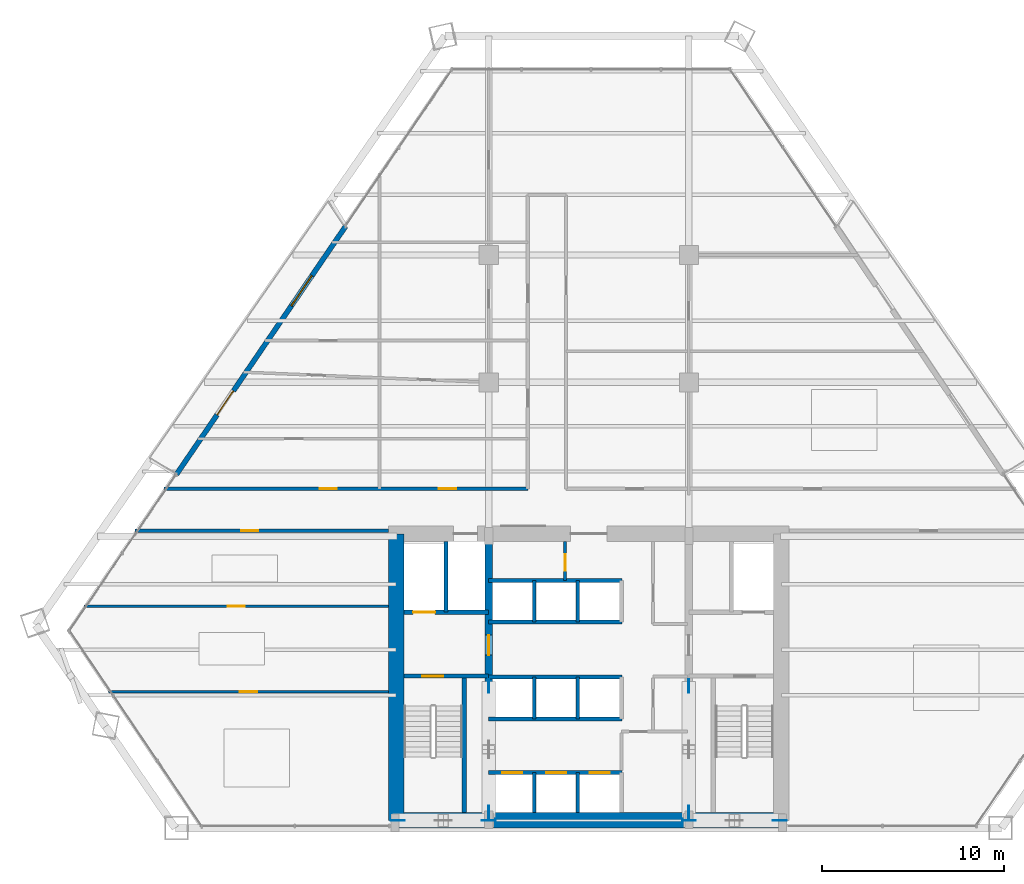
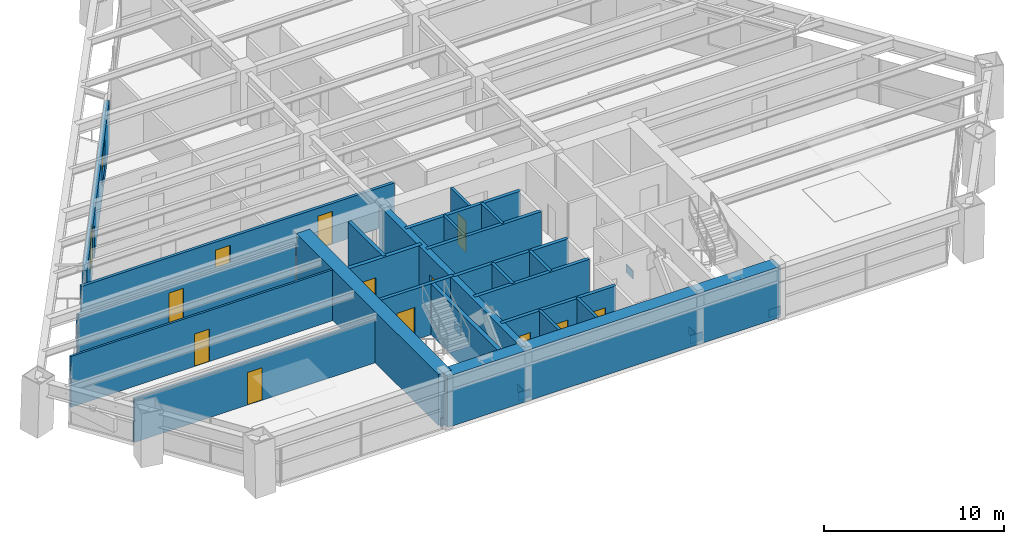
# One storey, part 10 of 14: 24 walls, 13 doors, 8 plates, 1 window, 14 openings.
"""IFC4 building model written with IfcOpenShell, lengths in metres."""

import ifcopenshell
import ifcopenshell.guid

model = None  # the IFC model being written
_history = None  # IfcOwnerHistory: only IFC2X3 demands one
_inside = {}  # id of a spatial element -> (the spatial element, [elements in it])
_under = {}  # id of a project, library or spatial element -> (it, [spatial elements below it])
_declared = {}  # id of a project -> (the project, [libraries it declares])
_typed = {}  # id of a type object -> (the type object, [elements of that type])
_made_of = {}  # id of a material, layer set ... -> (it, [elements and type objects made of it])


def new_model(schema):
    """Start an empty IFC model of exactly this schema.

    Asked for "IFC4X3", IfcOpenShell would pick the latest addendum, in which some entities
    have other attributes; the version numbers below select the first issue.
    IFC2X3 requires an IfcOwnerHistory on every rooted entity: one is made here for all.
    """
    global model, _history
    if schema == "IFC4X3":
        model = ifcopenshell.file(schema_version=(4, 3, 0, 0))
    else:
        model = ifcopenshell.file(schema=schema)
    _inside.clear()
    _under.clear()
    _declared.clear()
    _typed.clear()
    _made_of.clear()
    _history = None
    if model.schema == "IFC2X3":
        org = make("IfcOrganization", Name="unknown")
        user = make(
            "IfcPersonAndOrganization",
            ThePerson=make("IfcPerson", FamilyName="unknown"),
            TheOrganization=org,
        )
        app = make(
            "IfcApplication",
            ApplicationDeveloper=org,
            Version="unknown",
            ApplicationFullName="unknown",
            ApplicationIdentifier="unknown",
        )
        _history = make(
            "IfcOwnerHistory",
            OwningUser=user,
            OwningApplication=app,
            ChangeAction="ADDED",
            CreationDate=0,
        )
    return model


def make(cls, **values):
    """One entity of the class cls with the attributes given. An attribute that is None is left unset."""
    return model.create_entity(
        cls, **{name: value for name, value in values.items() if value is not None}
    )


def rooted(cls, **values):
    """An entity with a GlobalId (a new one), such as an element, a storey or a relation."""
    return make(cls, GlobalId=ifcopenshell.guid.new(), OwnerHistory=_history, **values)


def si_unit(unit_type, name, prefix=None):
    """IfcSIUnit, for example si_unit("LENGTHUNIT", "METRE", prefix="MILLI")."""
    return make("IfcSIUnit", UnitType=unit_type, Prefix=prefix, Name=name)


def assignment(units):
    """IfcUnitAssignment: the units of a project."""
    return None if units is None else make("IfcUnitAssignment", Units=units)


def point(xyz):
    """IfcCartesianPoint."""
    return None if xyz is None else make("IfcCartesianPoint", Coordinates=xyz)


def direction(xyz):
    """IfcDirection."""
    return None if xyz is None else make("IfcDirection", DirectionRatios=xyz)


def frame(location, z_axis=None, x_axis=None):
    """IfcAxis2Placement3D, a coordinate frame: its origin and axes. An axis left out is left unset."""
    return make(
        "IfcAxis2Placement3D",
        Location=point(location),
        Axis=direction(z_axis),
        RefDirection=direction(x_axis),
    )


def frame_2d(location, x_axis=None):
    """IfcAxis2Placement2D, a coordinate frame in the plane: its origin and x axis."""
    return make(
        "IfcAxis2Placement2D", Location=point(location), RefDirection=direction(x_axis)
    )


def origin():
    """The frame at (0, 0, 0) with its axes left unset."""
    return frame((0.0, 0.0, 0.0))


def origin_2d():
    """The frame at (0, 0) in the plane with its x axis left unset."""
    return frame_2d((0.0, 0.0))


def place(relative_to, where):
    """IfcLocalPlacement: puts the frame where relative to a parent placement (None: the world)."""
    return make(
        "IfcLocalPlacement", PlacementRelTo=relative_to, RelativePlacement=where
    )


def context(
    kind, dimensions, precision=None, world=None, true_north=None, identifier=None
):
    """IfcGeometricRepresentationContext, for example the 3D "Model" context."""
    return make(
        "IfcGeometricRepresentationContext",
        ContextIdentifier=identifier,
        ContextType=kind,
        CoordinateSpaceDimension=dimensions,
        Precision=precision,
        WorldCoordinateSystem=world,
        TrueNorth=true_north,
    )


def subcontext(parent, identifier, kind, view, scale=None):
    """IfcGeometricRepresentationSubContext, for example "Body" below "Model"."""
    return make(
        "IfcGeometricRepresentationSubContext",
        ContextIdentifier=identifier,
        ContextType=kind,
        ParentContext=parent,
        TargetScale=scale,
        TargetView=view,
    )


def project(units=None, contexts=None):
    """IfcProject with its units and contexts."""
    return rooted(
        "IfcProject",
        Name="project",
        RepresentationContexts=contexts,
        UnitsInContext=assignment(units),
    )


def spatial(cls, under=None, at=None, **own):
    """A site, building, storey or space (cls), placed at a placement, below another one or the project."""
    s = rooted(cls, ObjectPlacement=at, **own)
    if under is not None:
        _under.setdefault(under.id(), (under, []))[1].append(s)
    return s


def profile(cls, at=None, kind="AREA", **sizes):
    """A parametric profile (cls). Its sizes go by their IFC names, for example OverallWidth=200.0."""
    return make(cls, ProfileType=kind, Position=at, **sizes)


def rectangle(**sizes):
    """IfcRectangleProfileDef."""
    return profile("IfcRectangleProfileDef", **sizes)


def extrude(swept, where, along, depth):
    """IfcExtrudedAreaSolid: the profile swept, set in the frame where, extruded along a direction by depth."""
    return make(
        "IfcExtrudedAreaSolid",
        SweptArea=swept,
        Position=where,
        ExtrudedDirection=direction(along),
        Depth=depth,
    )


def shape(context_of_items, identifier, shape_type, items):
    """IfcShapeRepresentation: the items that make up one representation, for example the "Body"."""
    return make(
        "IfcShapeRepresentation",
        ContextOfItems=context_of_items,
        RepresentationIdentifier=identifier,
        RepresentationType=shape_type,
        Items=items,
    )


def source(mapping_origin, context_of_items, identifier, shape_type, items):
    """IfcRepresentationMap: a shape defined once, which mapped items show again and again."""
    return make(
        "IfcRepresentationMap",
        MappingOrigin=mapping_origin,
        MappedRepresentation=shape(context_of_items, identifier, shape_type, items),
    )


def transform(
    local_origin,
    x_axis=None,
    y_axis=None,
    z_axis=None,
    scale=None,
    scale2=None,
    scale3=None,
    uniform=True,
):
    """IfcCartesianTransformationOperator3D, or its non-uniform kind. x_axis, y_axis, z_axis: its Axis1, 2, 3."""
    if uniform:
        return make(
            "IfcCartesianTransformationOperator3D",
            Axis1=direction(x_axis),
            Axis2=direction(y_axis),
            LocalOrigin=point(local_origin),
            Scale=scale,
            Axis3=direction(z_axis),
        )
    return make(
        "IfcCartesianTransformationOperator3DnonUniform",
        Axis1=direction(x_axis),
        Axis2=direction(y_axis),
        LocalOrigin=point(local_origin),
        Scale=scale,
        Axis3=direction(z_axis),
        Scale2=scale2,
        Scale3=scale3,
    )


def mapped(mapping_source, mapping_target):
    """IfcMappedItem: shows the shape of a source again, moved by a transform."""
    return make(
        "IfcMappedItem", MappingSource=mapping_source, MappingTarget=mapping_target
    )


def material(Name=None, Category=None):
    """IfcMaterial."""
    return make("IfcMaterial", Name=Name, Category=Category)


def layer(
    of_material, thickness, ventilated=None, Name=None, Category=None, Priority=None
):
    """IfcMaterialLayer: one layer of a wall or slab, of a material (None: an air gap)."""
    return make(
        "IfcMaterialLayer",
        Material=of_material,
        LayerThickness=thickness,
        IsVentilated=ventilated,
        Name=Name,
        Category=Category,
        Priority=Priority,
    )


def layer_set(layers, Name=None):
    """IfcMaterialLayerSet."""
    return make("IfcMaterialLayerSet", MaterialLayers=layers, LayerSetName=Name)


def made_of(thing, what):
    """Note that an element or type object is made of a material, layer set ...; save() writes the relation."""
    if what is not None:
        _made_of.setdefault(what.id(), (what, []))[1].append(thing)
    return thing


def type_object(cls, material=None, **own):
    """A type object (cls), such as IfcWallType, which elements share."""
    return made_of(rooted(cls, **own), material)


def type_shapes(of_type, sources):
    """Give a type object the sources (RepresentationMaps) that its elements show as mapped items."""
    of_type.RepresentationMaps = sources


def element(
    cls,
    number,
    at=None,
    inside=None,
    cuts=None,
    type_object=None,
    material=None,
    context=None,
    identifier="Body",
    shape_type=None,
    held_by="IfcProductDefinitionShape",
    body=None,
    shapes=None,
    **own,
):
    """One element of the class cls, such as IfcWall. Its Tag is "e" and its number.

    at: its placement. inside: the storey or other place that contains it. cuts: it is an
    opening in that element (IfcRelVoidsElement). A single representation is given by context,
    identifier, shape_type and body (its items); several are given by shapes. held_by: the class
    of the entity that holds the representations. save() writes the other relations.
    """
    e = rooted(cls, Tag="e%d" % number, ObjectPlacement=at, **own)
    if body is not None:
        shapes = [shape(context, identifier, shape_type, body)]
    if shapes is not None:
        e.Representation = make(held_by, Representations=shapes)
    if inside is not None:
        _inside.setdefault(inside.id(), (inside, []))[1].append(e)
    if cuts is not None:
        rooted(
            "IfcRelVoidsElement", RelatingBuildingElement=cuts, RelatedOpeningElement=e
        )
    if type_object is not None:
        _typed.setdefault(type_object.id(), (type_object, []))[1].append(e)
    return made_of(e, material)


def fill(opening, filler):
    """IfcRelFillsElement: the door or window that sits in an opening."""
    return rooted(
        "IfcRelFillsElement",
        RelatingOpeningElement=opening,
        RelatedBuildingElement=filler,
    )


def aggregate(whole, parts):
    """IfcRelAggregates: a whole, such as a stair, and the parts it consists of."""
    return rooted("IfcRelAggregates", RelatingObject=whole, RelatedObjects=parts)


def save(model, path):
    """Write the relations noted so far, then the file.

    IfcRelAggregates (storeys below a building ...), IfcRelContainedInSpatialStructure (elements
    in a storey), IfcRelDefinesByType, IfcRelAssociatesMaterial and IfcRelDeclares: one each for
    every whole, place, type object, material and project.
    """
    for whole, parts in _under.values():
        aggregate(whole, parts)
    for where, things in _inside.values():
        rooted(
            "IfcRelContainedInSpatialStructure",
            RelatedElements=things,
            RelatingStructure=where,
        )
    for kind, things in _typed.values():
        rooted("IfcRelDefinesByType", RelatedObjects=things, RelatingType=kind)
    for what, things in _made_of.values():
        rooted("IfcRelAssociatesMaterial", RelatedObjects=things, RelatingMaterial=what)
    for by, libraries in _declared.values():
        rooted("IfcRelDeclares", RelatingContext=by, RelatedDefinitions=libraries)
    model.write(path)


model = new_model("IFC4")

# Units and contexts
model_context = context("Model", 3, precision=1e-05, world=origin(), true_north=direction((0.0, 1.0)))
body_context = subcontext(model_context, "Body", "Model", "MODEL_VIEW")
ifc_project = project(units=[si_unit("LENGTHUNIT", "METRE"), si_unit("AREAUNIT", "SQUARE_METRE"), si_unit("VOLUMEUNIT", "CUBIC_METRE"), si_unit("PLANEANGLEUNIT", "RADIAN"), si_unit("MASSUNIT", "GRAM", prefix="KILO")], contexts=[model_context])

# Site, building, storey
site_placement = place(None, origin())
site = spatial("IfcSite", under=ifc_project, at=site_placement, CompositionType="ELEMENT")
building_placement = place(site_placement, origin())
building = spatial("IfcBuilding", under=site, at=building_placement, Name="Varnakhor Terracotta Tower", CompositionType="ELEMENT")
storey_placement = place(building_placement, frame((0.0, 0.0, 38.60009765625)))
storey = spatial("IfcBuildingStorey", under=building, at=storey_placement, Name="L08", CompositionType="ELEMENT", Elevation=38.60009765625)

# Plates
ifc_material_1 = material(Name="Steel S460", Category="steel")
ifc_layer_1 = layer(ifc_material_1, 0.050048828125, Name="Steel S460")
ifc_layer_set_1 = layer_set([ifc_layer_1], Name="Steel S460")
plate_type = type_object("IfcPlateType", Name="PLT-GUSSET-50", PredefinedType="USERDEFINED", material=ifc_layer_set_1)
shared_shape_1 = source(origin(), body_context, "Body", "SweptSolid", [
    extrude(rectangle(XDim=0.75, YDim=0.0400390625, at=origin_2d()), origin(), (0.0, 0.0, 1.0), 0.550048828125),
])
type_shapes(plate_type, [shared_shape_1])
for number, where, z_axis, x_axis, name in (
    (1, (-10.5, 0.419921875, -0.09521484375), (0.0, 0.0, 1.0), (1.0, 0.0, 0.0), "L08 Core Brace Embed Plate CSWA"),
    (2, (-5.5, 0.419921875, -0.09521484375), (0.0, 0.0, 1.0), (1.0, 0.0, 0.0), "L08 Core Brace Embed Plate CSWB"),
    (3, (5.5, 0.419921875, -0.09521484375), (0.0, 0.0, 1.0), (1.0, 0.0, 0.0), "L08 Core Brace Embed Plate CSEA"),
    (4, (10.5, 0.419921875, -0.09521484375), (0.0, 0.0, 1.0), (1.0, 0.0, 0.0), "L08 Core Brace Embed Plate CSEB"),
    (5, (-5.5, 0.85009765625, -0.09521484375), (0.0, 0.0, 1.0), (0.0, 1.0, 0.0), "L08 Core Brace Embed Plate CWWA"),
    (6, (-5.5, 7.800048828125, -0.09521484375), (0.0, 0.0, 1.0), (0.0, 1.0, 0.0), "L08 Core Brace Embed Plate CWWB"),
    (7, (5.5, 0.85009765625, -0.09521484375), (0.0, 0.0, 1.0), (0.0, 1.0, 0.0), "L08 Core Brace Embed Plate CWEA"),
    (8, (5.5, 7.800048828125, -0.09521484375), (0.0, 0.0, 1.0), (0.0, 1.0, 0.0), "L08 Core Brace Embed Plate CWEB"),
):
    element("IfcPlate", number, at=place(storey_placement, frame(where, z_axis=z_axis, x_axis=x_axis)), inside=storey, type_object=plate_type, Name=name, ObjectType="GUSSET PLATE", PredefinedType="USERDEFINED", context=body_context, shape_type="MappedRepresentation", body=[
        mapped(shared_shape_1, transform((0.0, 0.0, 0.0), scale=1.0)),
    ])

# Walls
ifc_material_2 = material(Name="Concrete C60/75", Category="concrete")
ifc_layer_2 = layer(ifc_material_2, 0.85009765625, Name="Concrete C60/75")
ifc_layer_set_2 = layer_set([ifc_layer_2], Name="Concrete C60/75")
wall_type_1 = type_object("IfcWallType", Name="WAL-CORE-850", PredefinedType="SHEAR", material=ifc_layer_set_2)
wall_1_placement = place(storey_placement, frame((-10.64990234375, 0.425048828125, 0.0), z_axis=(0.0, 0.0, 1.0), x_axis=(1.0, 0.0, 0.0)))
element("IfcWall", 9, at=wall_1_placement, inside=storey, type_object=wall_type_1, Name="L08 South Core Shear Wall", PredefinedType="SHEAR", context=body_context, shape_type="SweptSolid", body=[
    extrude(rectangle(XDim=21.2998046875, YDim=0.85009765625, at=frame_2d((10.64990234375, 0.0))), origin(), (0.0, 0.0, 1.0), 3.449951171875),
])
wall_2_placement = place(storey_placement, frame((-10.574951171875, 0.425048828125, 0.0), z_axis=(0.0, 0.0, 1.0), x_axis=(0.0, 1.0, 0.0)))
element("IfcWall", 10, at=wall_2_placement, inside=storey, type_object=wall_type_1, Name="L08 West Core Shear Wall", PredefinedType="SHEAR", context=body_context, shape_type="SweptSolid", body=[
    extrude(rectangle(XDim=15.75, YDim=0.85009765625, at=frame_2d((7.875, 0.0))), origin(), (0.0, 0.0, 1.0), 3.449951171875),
])

# Wall, opening, door
ifc_material_3 = material(Name="Concrete C50/60", Category="concrete")
ifc_layer_3 = layer(ifc_material_3, 0.39990234375, Name="Concrete C50/60")
ifc_layer_set_3 = layer_set([ifc_layer_3], Name="Concrete C50/60")
wall_type_2 = type_object("IfcWallType", Name="WAL-CORE-WEB-400", PredefinedType="SHEAR", material=ifc_layer_set_3)
wall_3_placement = place(storey_placement, frame((-5.5, 0.425048828125, 0.0), z_axis=(0.0, 0.0, 1.0), x_axis=(0.0, 1.0, 0.0)))
wall_3 = element("IfcWall", 11, at=wall_3_placement, inside=storey, type_object=wall_type_2, Name="L08 West Core Web Shear Wall", PredefinedType="SHEAR", context=body_context, shape_type="SweptSolid", body=[
    extrude(rectangle(XDim=15.75, YDim=0.39990234375, at=frame_2d((7.875, 0.0))), origin(), (0.0, 0.0, 1.0), 3.449951171875),
])
opening_1_placement = place(wall_3_placement, frame((9.074951171875, 0.0, 0.0)))
opening_1 = element("IfcOpeningElement", 12, at=opening_1_placement, cuts=wall_3, Name="Opening DR-25", PredefinedType="OPENING", context=body_context, shape_type="SweptSolid", body=[
    extrude(rectangle(XDim=1.10009765625, YDim=2.199951171875, at=frame_2d((0.550048828125, 1.10009765625))), frame((0.0, 0.2099609375, 0.0), z_axis=(0.0, -1.0, 0.0), x_axis=(1.0, 0.0, 0.0)), (0.0, 0.0, 1.0), 0.419921875),
])
ifc_material_4 = material(Name="Firefighting Lobby Self-Closing Fire Door", Category="steel")
door_type_1 = type_object("IfcDoorType", Name="DR-FFL-1100X2200", OperationType="NOTDEFINED", PredefinedType="DOOR", material=ifc_material_4)
shared_shape_2 = source(origin(), body_context, "Body", "SweptSolid", [
    extrude(rectangle(XDim=1.10009765625, YDim=2.199951171875, at=frame_2d((0.550048828125, 1.10009765625))), frame((0.0, 0.02490234375, 0.0), z_axis=(0.0, -1.0, 0.0), x_axis=(1.0, 0.0, 0.0)), (0.0, 0.0, 1.0), 0.050048828125),
])
type_shapes(door_type_1, [shared_shape_2])
door_1_placement = place(opening_1_placement, origin())
door_1 = element("IfcDoor", 13, at=door_1_placement, inside=storey, type_object=door_type_1, Name="L08 West Firefighting Lobby Door", OperationType="SINGLE_SWING_RIGHT", OverallHeight=2.199951171875, OverallWidth=1.10009765625, PredefinedType="DOOR", context=body_context, shape_type="MappedRepresentation", body=[
    mapped(shared_shape_2, transform((0.0, 0.0, 0.0), scale=1.0)),
])
fill(opening_1, door_1)

ifc_material_5 = material(Name="Fire-Rated Gypsum Stud Partition", Category="gypsum")
ifc_layer_4 = layer(ifc_material_5, 0.18505859375, Name="Fire-Rated Gypsum Stud Partition")
ifc_layer_set_4 = layer_set([ifc_layer_4], Name="Fire-Rated Gypsum Stud Partition")
wall_type_3 = type_object("IfcWallType", Name="WAL-CORR-185", PredefinedType="PARTITIONING", material=ifc_layer_set_4)
wall_4_placement = place(storey_placement, frame((-24.930419921875, 16.35009765625, 0.0), z_axis=(0.0, 0.0, 1.0), x_axis=(1.0, 0.0, 0.0)))
wall_4 = element("IfcWall", 14, at=wall_4_placement, inside=storey, type_object=wall_type_3, Name="L08 South West Corridor Wall", PredefinedType="PARTITIONING", context=body_context, shape_type="SweptSolid", body=[
    extrude(rectangle(XDim=13.910400390625, YDim=0.18505859375, at=frame_2d((6.955078125, 0.0))), origin(), (0.0, 0.0, 1.0), 2.746826171875),
])
opening_2_placement = place(wall_4_placement, frame((5.818603515625, 0.0, 0.0)))
opening_2 = element("IfcOpeningElement", 15, at=opening_2_placement, cuts=wall_4, Name="Opening DR-94", PredefinedType="OPENING", context=body_context, shape_type="SweptSolid", body=[
    extrude(rectangle(XDim=0.949951171875, YDim=2.199951171875, at=frame_2d((0.47509765625, 1.10009765625))), frame((0.0, 0.1025390625, 0.0), z_axis=(0.0, -1.0, 0.0), x_axis=(1.0, 0.0, 0.0)), (0.0, 0.0, 1.0), 0.205078125),
])
ifc_material_6 = material(Name="Acoustic Glazed-Vision Timber Office Door", Category="wood")
door_type_2 = type_object("IfcDoorType", Name="DR-OFF-950X2200", OperationType="NOTDEFINED", PredefinedType="DOOR", material=ifc_material_6)
shared_shape_3 = source(origin(), body_context, "Body", "SweptSolid", [
    extrude(rectangle(XDim=0.949951171875, YDim=2.199951171875, at=frame_2d((0.47509765625, 1.10009765625))), frame((0.0, 0.02490234375, 0.0), z_axis=(0.0, -1.0, 0.0), x_axis=(1.0, 0.0, 0.0)), (0.0, 0.0, 1.0), 0.050048828125),
])
type_shapes(door_type_2, [shared_shape_3])
door_2_placement = place(opening_2_placement, origin())
door_2 = element("IfcDoor", 16, at=door_2_placement, inside=storey, type_object=door_type_2, Name="L08 SW Suite Door", OperationType="SINGLE_SWING_LEFT", OverallHeight=2.199951171875, OverallWidth=0.949951171875, PredefinedType="DOOR", context=body_context, shape_type="MappedRepresentation", body=[
    mapped(shared_shape_3, transform((0.0, 0.0, 0.0), scale=1.0)),
])
fill(opening_2, door_2)

# Wall, openings, doors
wall_5_placement = place(storey_placement, frame((-23.3623046875, 18.64990234375, 0.0), z_axis=(0.0, 0.0, 1.0), x_axis=(1.0, 0.0, 0.0)))
wall_5 = element("IfcWall", 17, at=wall_5_placement, inside=storey, type_object=wall_type_3, Name="L08 Corridor North West Wall", PredefinedType="PARTITIONING", context=body_context, shape_type="SweptSolid", body=[
    extrude(rectangle(XDim=20.01220703125, YDim=0.18505859375, at=frame_2d((10.006103515625, 0.0))), origin(), (0.0, 0.0, 1.0), 2.746826171875),
])
opening_3_placement = place(wall_5_placement, frame((8.564453125, 0.0, 0.0)))
opening_3 = element("IfcOpeningElement", 18, at=opening_3_placement, cuts=wall_5, Name="Opening DR-94", PredefinedType="OPENING", context=body_context, shape_type="SweptSolid", body=[
    extrude(rectangle(XDim=0.949951171875, YDim=2.199951171875, at=frame_2d((0.47509765625, 1.10009765625))), frame((0.0, 0.1025390625, 0.0), z_axis=(0.0, -1.0, 0.0), x_axis=(1.0, 0.0, 0.0)), (0.0, 0.0, 1.0), 0.205078125),
])
opening_4_placement = place(wall_5_placement, frame((15.114013671875, 0.0, 0.0)))
opening_4 = element("IfcOpeningElement", 19, at=opening_4_placement, cuts=wall_5, Name="Opening DR-94", PredefinedType="OPENING", context=body_context, shape_type="SweptSolid", body=[
    extrude(rectangle(XDim=0.949951171875, YDim=2.199951171875, at=frame_2d((0.47509765625, 1.10009765625))), frame((0.0, 0.1025390625, 0.0), z_axis=(0.0, -1.0, 0.0), x_axis=(1.0, 0.0, 0.0)), (0.0, 0.0, 1.0), 0.205078125),
])
door_3_placement = place(opening_3_placement, origin())
door_3 = element("IfcDoor", 20, at=door_3_placement, inside=storey, type_object=door_type_2, Name="L08 West Workplace Door", OperationType="SINGLE_SWING_LEFT", OverallHeight=2.199951171875, OverallWidth=0.949951171875, PredefinedType="DOOR", context=body_context, shape_type="MappedRepresentation", body=[
    mapped(shared_shape_3, transform((0.0, 0.0, 0.0), scale=1.0)),
])
fill(opening_3, door_3)
door_4_placement = place(opening_4_placement, origin())
door_4 = element("IfcDoor", 21, at=door_4_placement, inside=storey, type_object=door_type_2, Name="L08 Project Study Office B7 Door", OperationType="SINGLE_SWING_RIGHT", OverallHeight=2.199951171875, OverallWidth=0.949951171875, PredefinedType="DOOR", context=body_context, shape_type="MappedRepresentation", body=[
    mapped(shared_shape_3, transform((0.0, 0.0, 0.0), scale=1.0)),
])
fill(opening_4, door_4)

# Wall, openings, door, window
ifc_material_7 = material(Name="Extruded Architectural Terracotta Assembly", Category="masonry")
ifc_layer_5 = layer(ifc_material_7, 0.280029296875, Name="Extruded Architectural Terracotta Assembly")
ifc_layer_set_5 = layer_set([ifc_layer_5], Name="Extruded Architectural Terracotta Assembly")
wall_type_4 = type_object("IfcWallType", Name="WAL-EXT-TERRACOTTA-280", PredefinedType="SOLIDWALL", material=ifc_layer_set_5)
wall_6_placement = place(storey_placement, frame((-22.6630859375, 19.44482421875, 0.0), z_axis=(0.0, 0.0, 1.0), x_axis=(0.563309723246, 0.826245820381, 0.0)))
wall_6 = element("IfcWall", 22, at=wall_6_placement, inside=storey, type_object=wall_type_4, Name="L08 W Loggia Insulated Terracotta Wall", PredefinedType="SOLIDWALL", context=body_context, shape_type="SweptSolid", body=[
    extrude(rectangle(XDim=16.492431640625, YDim=0.280029296875, at=frame_2d((8.24609375, 0.0))), origin(), (0.0, 0.0, 1.0), 3.02978515625),
])
opening_5_placement = place(wall_6_placement, frame((3.958251953125, 0.0, 0.0)))
opening_5 = element("IfcOpeningElement", 23, at=opening_5_placement, cuts=wall_6, Name="Opening DR-62", PredefinedType="OPENING", context=body_context, shape_type="SweptSolid", body=[
    extrude(rectangle(XDim=1.60009765625, YDim=2.35009765625, at=frame_2d((0.800048828125, 1.175048828125))), frame((0.0, 0.14990234375, 0.0), z_axis=(0.0, -1.0, 0.0), x_axis=(1.0, 0.0, 0.0)), (0.0, 0.0, 1.0), 0.300048828125),
])
opening_6_placement = place(wall_6_placement, frame((11.21484375, 0.0, 0.89990234375)))
opening_6 = element("IfcOpeningElement", 24, at=opening_6_placement, cuts=wall_6, Name="Opening WN-26", PredefinedType="OPENING", context=body_context, shape_type="SweptSolid", body=[
    extrude(rectangle(XDim=2.0, YDim=1.85009765625, at=frame_2d((1.0, 0.925048828125))), frame((0.0, 0.14990234375, 0.0), z_axis=(0.0, -1.0, 0.0), x_axis=(1.0, 0.0, 0.0)), (0.0, 0.0, 1.0), 0.300048828125),
])
ifc_material_8 = material(Name="Thermally Broken Sliding Glass Loggia Door", Category="glass")
door_type_3 = type_object("IfcDoorType", Name="DR-EXT-LOGGIA-1600X2350", OperationType="NOTDEFINED", PredefinedType="DOOR", material=ifc_material_8)
shared_shape_4 = source(origin(), body_context, "Body", "SweptSolid", [
    extrude(rectangle(XDim=1.60009765625, YDim=2.35009765625, at=frame_2d((0.800048828125, 1.175048828125))), frame((0.0, 0.02490234375, 0.0), z_axis=(0.0, -1.0, 0.0), x_axis=(1.0, 0.0, 0.0)), (0.0, 0.0, 1.0), 0.050048828125),
])
type_shapes(door_type_3, [shared_shape_4])
door_5_placement = place(opening_5_placement, origin())
door_5 = element("IfcDoor", 25, at=door_5_placement, inside=storey, type_object=door_type_3, Name="L08 W Recessed Loggia Sliding Door", OperationType="SLIDING_TO_LEFT", OverallHeight=2.35009765625, OverallWidth=1.60009765625, PredefinedType="DOOR", context=body_context, shape_type="MappedRepresentation", body=[
    mapped(shared_shape_4, transform((0.0, 0.0, 0.0), scale=1.0)),
])
fill(opening_5, door_5)
ifc_material_9 = material(Name="Solar-Control Low-E Insulated Glass Unit", Category="glass")
window_type = type_object("IfcWindowType", Name="WIN-OFF-2200X2100", PartitioningType="SINGLE_PANEL", PredefinedType="WINDOW", material=ifc_material_9)
shared_shape_5 = source(origin(), body_context, "Body", "SweptSolid", [
    extrude(rectangle(XDim=2.0, YDim=1.85009765625, at=frame_2d((1.0, 0.925048828125))), frame((0.0, 0.030029296875, 0.0), z_axis=(0.0, -1.0, 0.0), x_axis=(1.0, 0.0, 0.0)), (0.0, 0.0, 1.0), 0.06005859375),
])
type_shapes(window_type, [shared_shape_5])
window_placement = place(opening_6_placement, origin())
window = element("IfcWindow", 26, at=window_placement, inside=storey, type_object=window_type, Name="L08 W Facet Punched Window", OverallHeight=1.85009765625, OverallWidth=2.0, PartitioningType="SINGLE_PANEL", PredefinedType="WINDOW", context=body_context, shape_type="MappedRepresentation", body=[
    mapped(shared_shape_5, transform((0.0, 0.0, 0.0), scale=1.0)),
])
fill(opening_6, window)

# Wall, opening, door
ifc_material_10 = material(Name="Concrete C40/50", Category="concrete")
ifc_layer_6 = layer(ifc_material_10, 0.219970703125, Name="Concrete C40/50")
ifc_layer_set_6 = layer_set([ifc_layer_6], Name="Concrete C40/50")
wall_type_5 = type_object("IfcWallType", Name="WAL-FFLOBBY-220", PredefinedType="SOLIDWALL", material=ifc_layer_set_6)
wall_7_placement = place(storey_placement, frame((-5.5, 8.35009765625, 0.0), z_axis=(0.0, 0.0, 1.0), x_axis=(-1.0, 0.0, 0.0)))
wall_7 = element("IfcWall", 27, at=wall_7_placement, inside=storey, type_object=wall_type_5, Name="L08 West Firefighting Lobby Stair Wall", PredefinedType="SOLIDWALL", context=body_context, shape_type="SweptSolid", body=[
    extrude(rectangle(XDim=4.64990234375, YDim=0.219970703125, at=frame_2d((2.324951171875, 0.0))), origin(), (0.0, 0.0, 1.0), 3.449951171875),
])
opening_7_placement = place(wall_7_placement, frame((2.5, 0.0, 0.0)))
opening_7 = element("IfcOpeningElement", 28, at=opening_7_placement, cuts=wall_7, Name="Opening DR-34", PredefinedType="OPENING", context=body_context, shape_type="SweptSolid", body=[
    extrude(rectangle(XDim=1.14990234375, YDim=2.199951171875, at=frame_2d((0.574951171875, 1.10009765625))), frame((0.0, 0.1201171875, 0.0), z_axis=(0.0, -1.0, 0.0), x_axis=(1.0, 0.0, 0.0)), (0.0, 0.0, 1.0), 0.239990234375),
])
ifc_material_11 = material(Name="Self-Closing Smoke-Sealed Steel Fire Door", Category="steel")
door_type_4 = type_object("IfcDoorType", Name="DR-STAIR-1150X2200", OperationType="NOTDEFINED", PredefinedType="DOOR", material=ifc_material_11)
shared_shape_6 = source(origin(), body_context, "Body", "SweptSolid", [
    extrude(rectangle(XDim=1.14990234375, YDim=2.199951171875, at=frame_2d((0.574951171875, 1.10009765625))), frame((0.0, 0.02490234375, 0.0), z_axis=(0.0, -1.0, 0.0), x_axis=(1.0, 0.0, 0.0)), (0.0, 0.0, 1.0), 0.050048828125),
])
type_shapes(door_type_4, [shared_shape_6])
door_6_placement = place(opening_7_placement, origin())
door_6 = element("IfcDoor", 29, at=door_6_placement, inside=storey, type_object=door_type_4, Name="L08 Exit Stair ST-1 Fire Door", OperationType="SINGLE_SWING_LEFT", OverallHeight=2.199951171875, OverallWidth=1.14990234375, PredefinedType="DOOR", context=body_context, shape_type="MappedRepresentation", body=[
    mapped(shared_shape_6, transform((0.0, 0.0, 0.0), scale=1.0)),
])
fill(opening_7, door_6)

ifc_material_12 = material(Name="Acoustic Metal-Stud Partition", Category="gypsum")
ifc_layer_7 = layer(ifc_material_12, 0.139892578125, Name="Acoustic Metal-Stud Partition")
ifc_layer_set_7 = layer_set([ifc_layer_7], Name="Acoustic Metal-Stud Partition")
wall_type_6 = type_object("IfcWallType", Name="WAL-PART-140", PredefinedType="PARTITIONING", material=ifc_layer_set_7)
wall_8_placement = place(storey_placement, frame((-26.4140625, 7.5, 0.0), z_axis=(0.0, 0.0, 1.0), x_axis=(1.0, 0.0, 0.0)))
wall_8 = element("IfcWall", 30, at=wall_8_placement, inside=storey, type_object=wall_type_6, Name="L08 South West Cut 1", PredefinedType="PARTITIONING", context=body_context, shape_type="SweptSolid", body=[
    extrude(rectangle(XDim=15.39404296875, YDim=0.139892578125, at=frame_2d((7.697021484375, 0.0))), origin(), (0.0, 0.0, 1.0), 2.97900390625),
])
opening_8_placement = place(wall_8_placement, frame((7.234130859375, 0.0, 0.0)))
opening_8 = element("IfcOpeningElement", 31, at=opening_8_placement, cuts=wall_8, Name="Opening DR-94", PredefinedType="OPENING", context=body_context, shape_type="SweptSolid", body=[
    extrude(rectangle(XDim=0.949951171875, YDim=2.199951171875, at=frame_2d((0.47509765625, 1.10009765625))), frame((0.0, 0.080078125, 0.0), z_axis=(0.0, -1.0, 0.0), x_axis=(1.0, 0.0, 0.0)), (0.0, 0.0, 1.0), 0.159912109375),
])
door_7_placement = place(opening_8_placement, origin())
door_7 = element("IfcDoor", 32, at=door_7_placement, inside=storey, type_object=door_type_2, Name="L08 South West Executive Office Door", OperationType="SINGLE_SWING_LEFT", OverallHeight=2.199951171875, OverallWidth=0.949951171875, PredefinedType="DOOR", context=body_context, shape_type="MappedRepresentation", body=[
    mapped(shared_shape_3, transform((0.0, 0.0, 0.0), scale=1.0)),
])
fill(opening_8, door_7)

wall_9_placement = place(storey_placement, frame((-27.759765625, 12.199951171875, 0.0), z_axis=(0.0, 0.0, 1.0), x_axis=(1.0, 0.0, 0.0)))
wall_9 = element("IfcWall", 33, at=wall_9_placement, inside=storey, type_object=wall_type_6, Name="L08 South West Cut 2", PredefinedType="PARTITIONING", context=body_context, shape_type="SweptSolid", body=[
    extrude(rectangle(XDim=16.73974609375, YDim=0.139892578125, at=frame_2d((8.369873046875, 0.0))), origin(), (0.0, 0.0, 1.0), 3.44189453125),
])
opening_9_placement = place(wall_9_placement, frame((7.907958984375, 0.0, 0.0)))
opening_9 = element("IfcOpeningElement", 34, at=opening_9_placement, cuts=wall_9, Name="Opening DR-94", PredefinedType="OPENING", context=body_context, shape_type="SweptSolid", body=[
    extrude(rectangle(XDim=0.949951171875, YDim=2.199951171875, at=frame_2d((0.47509765625, 1.10009765625))), frame((0.0, 0.080078125, 0.0), z_axis=(0.0, -1.0, 0.0), x_axis=(1.0, 0.0, 0.0)), (0.0, 0.0, 1.0), 0.159912109375),
])
door_8_placement = place(opening_9_placement, origin())
door_8 = element("IfcDoor", 35, at=door_8_placement, inside=storey, type_object=door_type_2, Name="L08 Project Study Office Door", OperationType="SINGLE_SWING_LEFT", OverallHeight=2.199951171875, OverallWidth=0.949951171875, PredefinedType="DOOR", context=body_context, shape_type="MappedRepresentation", body=[
    mapped(shared_shape_3, transform((0.0, 0.0, 0.0), scale=1.0)),
])
fill(opening_9, door_8)

# Walls
ifc_layer_8 = layer(ifc_material_10, 0.179931640625, Name="Concrete C40/50")
ifc_layer_set_8 = layer_set([ifc_layer_8], Name="Concrete C40/50")
wall_type_7 = type_object("IfcWallType", Name="WAL-SHAFT-180", PredefinedType="SOLIDWALL", material=ifc_layer_set_8)
for number, where, z_axis, x_axis, name in (
    (36, (-3.0, 0.85009765625, 0.0), (0.0, 0.0, 1.0), (0.0, 1.0, 0.0), "L08 PL-1A Divider"),
    (37, (-0.60009765625, 0.85009765625, 0.0), (0.0, 0.0, 1.0), (0.0, 1.0, 0.0), "L08 PL-1B Divider"),
):
    element("IfcWall", number, at=place(storey_placement, frame(where, z_axis=z_axis, x_axis=x_axis)), inside=storey, type_object=wall_type_7, Name=name, PredefinedType="SOLIDWALL", context=body_context, shape_type="SweptSolid", body=[
        extrude(rectangle(XDim=2.199951171875, YDim=0.179931640625, at=frame_2d((1.10009765625, 0.0))), origin(), (0.0, 0.0, 1.0), 3.449951171875),
    ])
for number, where, z_axis, x_axis, name in (
    (38, (-3.0, 6.0, 0.0), (0.0, 0.0, 1.0), (0.0, 1.0, 0.0), "L08 PL-2A Divider"),
    (39, (-0.60009765625, 6.0, 0.0), (0.0, 0.0, 1.0), (0.0, 1.0, 0.0), "L08 PL-2B Divider"),
    (40, (-3.0, 11.320068359375, 0.0), (0.0, 0.0, 1.0), (0.0, 1.0, 0.0), "L08 PL-3A Divider"),
    (41, (-0.60009765625, 11.320068359375, 0.0), (0.0, 0.0, 1.0), (0.0, 1.0, 0.0), "L08 PL-3B Divider"),
):
    element("IfcWall", number, at=place(storey_placement, frame(where, z_axis=z_axis, x_axis=x_axis)), inside=storey, type_object=wall_type_7, Name=name, PredefinedType="SOLIDWALL", context=body_context, shape_type="SweptSolid", body=[
        extrude(rectangle(XDim=2.300048828125, YDim=0.179931640625, at=frame_2d((1.14990234375, 0.0))), origin(), (0.0, 0.0, 1.0), 3.449951171875),
    ])
ifc_layer_9 = layer(ifc_material_10, 0.219970703125, Name="Concrete C40/50")
ifc_layer_set_9 = layer_set([ifc_layer_9], Name="Concrete C40/50")
wall_type_8 = type_object("IfcWallType", Name="WAL-SHAFT-220", PredefinedType="SOLIDWALL", material=ifc_layer_set_9)
wall_10_placement = place(storey_placement, frame((-7.840087890625, 11.8701171875, 0.0), z_axis=(0.0, 0.0, 1.0), x_axis=(0.0, 1.0, 0.0)))
element("IfcWall", 42, at=wall_10_placement, inside=storey, type_object=wall_type_8, Name="L08 Lift FFL-1 and SVL-1 Divider Wall", PredefinedType="SOLIDWALL", context=body_context, shape_type="SweptSolid", body=[
    extrude(rectangle(XDim=3.8798828125, YDim=0.219970703125, at=frame_2d((1.93994140625, 0.0))), origin(), (0.0, 0.0, 1.0), 3.449951171875),
])

# Wall, openings, doors
wall_11_placement = place(storey_placement, frame((-5.5, 3.050048828125, 0.0), z_axis=(0.0, 0.0, 1.0), x_axis=(1.0, 0.0, 0.0)))
wall_11 = element("IfcWall", 43, at=wall_11_placement, inside=storey, type_object=wall_type_8, Name="L08 Bank 1 Lift Shaft Wall", PredefinedType="SOLIDWALL", context=body_context, shape_type="SweptSolid", body=[
    extrude(rectangle(XDim=7.320068359375, YDim=0.219970703125, at=frame_2d((3.66015625, 0.0))), origin(), (0.0, 0.0, 1.0), 3.449951171875),
])
opening_10_placement = place(wall_11_placement, frame((0.75, 0.0, 0.0)))
opening_10 = element("IfcOpeningElement", 44, at=opening_10_placement, cuts=wall_11, Name="Opening LD-01", PredefinedType="OPENING", context=body_context, shape_type="SweptSolid", body=[
    extrude(rectangle(XDim=1.10009765625, YDim=2.199951171875, at=frame_2d((0.550048828125, 1.10009765625))), frame((0.0, 0.1201171875, 0.0), z_axis=(0.0, -1.0, 0.0), x_axis=(1.0, 0.0, 0.0)), (0.0, 0.0, 1.0), 0.239990234375),
])
opening_11_placement = place(wall_11_placement, frame((3.14990234375, 0.0, 0.0)))
opening_11 = element("IfcOpeningElement", 45, at=opening_11_placement, cuts=wall_11, Name="Opening LD-01", PredefinedType="OPENING", context=body_context, shape_type="SweptSolid", body=[
    extrude(rectangle(XDim=1.10009765625, YDim=2.199951171875, at=frame_2d((0.550048828125, 1.10009765625))), frame((0.0, 0.1201171875, 0.0), z_axis=(0.0, -1.0, 0.0), x_axis=(1.0, 0.0, 0.0)), (0.0, 0.0, 1.0), 0.239990234375),
])
opening_12_placement = place(wall_11_placement, frame((5.550048828125, 0.0, 0.0)))
opening_12 = element("IfcOpeningElement", 46, at=opening_12_placement, cuts=wall_11, Name="Opening LD-01", PredefinedType="OPENING", context=body_context, shape_type="SweptSolid", body=[
    extrude(rectangle(XDim=1.10009765625, YDim=2.199951171875, at=frame_2d((0.550048828125, 1.10009765625))), frame((0.0, 0.1201171875, 0.0), z_axis=(0.0, -1.0, 0.0), x_axis=(1.0, 0.0, 0.0)), (0.0, 0.0, 1.0), 0.239990234375),
])
ifc_material_13 = material(Name="Brushed Stainless Steel Sliding Lift Landing Door", Category="steel")
door_type_5 = type_object("IfcDoorType", Name="LD-PASS-1100X2200", OperationType="NOTDEFINED", PredefinedType="DOOR", material=ifc_material_13)
shared_shape_7 = source(origin(), body_context, "Body", "SweptSolid", [
    extrude(rectangle(XDim=1.10009765625, YDim=2.199951171875, at=frame_2d((0.550048828125, 1.10009765625))), frame((0.0, 0.02490234375, 0.0), z_axis=(0.0, -1.0, 0.0), x_axis=(1.0, 0.0, 0.0)), (0.0, 0.0, 1.0), 0.050048828125),
])
type_shapes(door_type_5, [shared_shape_7])
door_9_placement = place(opening_10_placement, origin())
door_9 = element("IfcDoor", 47, at=door_9_placement, inside=storey, type_object=door_type_5, Name="L08 Passenger Lift PL-1A Landing Door", OperationType="SLIDING_TO_RIGHT", OverallHeight=2.199951171875, OverallWidth=1.10009765625, PredefinedType="DOOR", context=body_context, shape_type="MappedRepresentation", body=[
    mapped(shared_shape_7, transform((0.0, 0.0, 0.0), scale=1.0)),
])
fill(opening_10, door_9)
door_10_placement = place(opening_11_placement, origin())
door_10 = element("IfcDoor", 48, at=door_10_placement, inside=storey, type_object=door_type_5, Name="L08 Passenger Lift PL-1B Landing Door", OperationType="SLIDING_TO_RIGHT", OverallHeight=2.199951171875, OverallWidth=1.10009765625, PredefinedType="DOOR", context=body_context, shape_type="MappedRepresentation", body=[
    mapped(shared_shape_7, transform((0.0, 0.0, 0.0), scale=1.0)),
])
fill(opening_11, door_10)
door_11_placement = place(opening_12_placement, origin())
door_11 = element("IfcDoor", 49, at=door_11_placement, inside=storey, type_object=door_type_5, Name="L08 Passenger Lift PL-1C Landing Door", OperationType="SLIDING_TO_RIGHT", OverallHeight=2.199951171875, OverallWidth=1.10009765625, PredefinedType="DOOR", context=body_context, shape_type="MappedRepresentation", body=[
    mapped(shared_shape_7, transform((0.0, 0.0, 0.0), scale=1.0)),
])
fill(opening_12, door_11)

# Walls
for number, where, z_axis, x_axis, name in (
    (50, (-5.5, 6.0, 0.0), (0.0, 0.0, 1.0), (1.0, 0.0, 0.0), "L08 Bank 2 South Shaft Wall"),
    (51, (-5.5, 8.300048828125, 0.0), (0.0, 0.0, 1.0), (1.0, 0.0, 0.0), "L08 Bank 2 North Shaft Wall"),
    (52, (-5.5, 11.320068359375, 0.0), (0.0, 0.0, 1.0), (1.0, 0.0, 0.0), "L08 Bank 3 South Shaft Wall"),
    (53, (-5.5, 13.6201171875, 0.0), (0.0, 0.0, 1.0), (1.0, 0.0, 0.0), "L08 Bank 3 North Shaft Wall"),
):
    element("IfcWall", number, at=place(storey_placement, frame(where, z_axis=z_axis, x_axis=x_axis)), inside=storey, type_object=wall_type_8, Name=name, PredefinedType="SOLIDWALL", context=body_context, shape_type="SweptSolid", body=[
        extrude(rectangle(XDim=7.320068359375, YDim=0.219970703125, at=frame_2d((3.66015625, 0.0))), origin(), (0.0, 0.0, 1.0), 3.449951171875),
    ])
ifc_layer_10 = layer(ifc_material_10, 0.25, Name="Concrete C40/50")
ifc_layer_set_10 = layer_set([ifc_layer_10], Name="Concrete C40/50")
wall_type_9 = type_object("IfcWallType", Name="WAL-SHAFT-250", PredefinedType="SOLIDWALL", material=ifc_layer_set_10)
wall_12_placement = place(storey_placement, frame((-6.85009765625, 0.85009765625, 0.0), z_axis=(0.0, 0.0, 1.0), x_axis=(0.0, 1.0, 0.0)))
element("IfcWall", 54, at=wall_12_placement, inside=storey, type_object=wall_type_9, Name="L08 Stair ST-1 Bearing Shaft Wall", PredefinedType="SOLIDWALL", context=body_context, shape_type="SweptSolid", body=[
    extrude(rectangle(XDim=7.5, YDim=0.25, at=frame_2d((3.75, 0.0))), origin(), (0.0, 0.0, 1.0), 3.449951171875),
])

# Wall, opening, door
wall_13_placement = place(storey_placement, frame((-5.5, 11.8701171875, 0.0), z_axis=(0.0, 0.0, 1.0), x_axis=(-1.0, 0.0, 0.0)))
wall_13 = element("IfcWall", 55, at=wall_13_placement, inside=storey, type_object=wall_type_9, Name="L08 Lift FFL-1 Shaft Front Wall", PredefinedType="SOLIDWALL", context=body_context, shape_type="SweptSolid", body=[
    extrude(rectangle(XDim=4.64990234375, YDim=0.25, at=frame_2d((2.324951171875, 0.0))), origin(), (0.0, 0.0, 1.0), 3.449951171875),
])
opening_13_placement = place(wall_13_placement, frame((2.949951171875, 0.0, 0.0)))
opening_13 = element("IfcOpeningElement", 56, at=opening_13_placement, cuts=wall_13, Name="Opening LD-02", PredefinedType="OPENING", context=body_context, shape_type="SweptSolid", body=[
    extrude(rectangle(XDim=1.199951171875, YDim=2.25, at=frame_2d((0.60009765625, 1.125))), frame((0.0, 0.135009765625, 0.0), z_axis=(0.0, -1.0, 0.0), x_axis=(1.0, 0.0, 0.0)), (0.0, 0.0, 1.0), 0.27001953125),
])
ifc_material_14 = material(Name="Firefighting Stretcher Sliding Lift Landing Door", Category="steel")
door_type_6 = type_object("IfcDoorType", Name="LD-FFL-1200X2250", OperationType="NOTDEFINED", PredefinedType="DOOR", material=ifc_material_14)
shared_shape_8 = source(origin(), body_context, "Body", "SweptSolid", [
    extrude(rectangle(XDim=1.199951171875, YDim=2.25, at=frame_2d((0.60009765625, 1.125))), frame((0.0, 0.02490234375, 0.0), z_axis=(0.0, -1.0, 0.0), x_axis=(1.0, 0.0, 0.0)), (0.0, 0.0, 1.0), 0.050048828125),
])
type_shapes(door_type_6, [shared_shape_8])
door_12_placement = place(opening_13_placement, origin())
door_12 = element("IfcDoor", 57, at=door_12_placement, inside=storey, type_object=door_type_6, Name="L08 Firefighting Lift FFL-1 Landing Door", OperationType="SLIDING_TO_LEFT", OverallHeight=2.25, OverallWidth=1.199951171875, PredefinedType="DOOR", context=body_context, shape_type="MappedRepresentation", body=[
    mapped(shared_shape_8, transform((0.0, 0.0, 0.0), scale=1.0)),
])
fill(opening_13, door_12)

ifc_material_15 = material(Name="Acoustic Fire-Rated Partition", Category="gypsum")
ifc_layer_11 = layer(ifc_material_15, 0.1650390625, Name="Acoustic Fire-Rated Partition")
ifc_layer_set_11 = layer_set([ifc_layer_11], Name="Acoustic Fire-Rated Partition")
wall_type_10 = type_object("IfcWallType", Name="WAL-TENANCY-165", PredefinedType="PARTITIONING", material=ifc_layer_set_11)
wall_14_placement = place(storey_placement, frame((-1.300048828125, 13.60009765625, 0.0), z_axis=(0.0, 0.0, 1.0), x_axis=(0.0, 1.0, 0.0)))
wall_14 = element("IfcWall", 58, at=wall_14_placement, inside=storey, type_object=wall_type_10, Name="L08 Male Restroom Wall", PredefinedType="PARTITIONING", context=body_context, shape_type="SweptSolid", body=[
    extrude(rectangle(XDim=2.14990234375, YDim=0.1650390625, at=frame_2d((1.074951171875, 0.0))), origin(), (0.0, 0.0, 1.0), 3.44189453125),
])
opening_14_placement = place(wall_14_placement, frame((0.550048828125, 0.0, 0.0)))
opening_14 = element("IfcOpeningElement", 59, at=opening_14_placement, cuts=wall_14, Name="Opening DR-67", PredefinedType="OPENING", context=body_context, shape_type="SweptSolid", body=[
    extrude(rectangle(XDim=0.89990234375, YDim=2.10009765625, at=frame_2d((0.449951171875, 1.050048828125))), frame((0.0, 0.092529296875, 0.0), z_axis=(0.0, -1.0, 0.0), x_axis=(1.0, 0.0, 0.0)), (0.0, 0.0, 1.0), 0.18505859375),
])
ifc_material_16 = material(Name="Steel Service Riser Fire Door", Category="steel")
door_type_7 = type_object("IfcDoorType", Name="DR-RISER-900X2100", OperationType="NOTDEFINED", PredefinedType="DOOR", material=ifc_material_16)
shared_shape_9 = source(origin(), body_context, "Body", "SweptSolid", [
    extrude(rectangle(XDim=0.89990234375, YDim=2.10009765625, at=frame_2d((0.449951171875, 1.050048828125))), frame((0.0, 0.02490234375, 0.0), z_axis=(0.0, -1.0, 0.0), x_axis=(1.0, 0.0, 0.0)), (0.0, 0.0, 1.0), 0.050048828125),
])
type_shapes(door_type_7, [shared_shape_9])
door_13_placement = place(opening_14_placement, origin())
door_13 = element("IfcDoor", 60, at=door_13_placement, inside=storey, type_object=door_type_7, Name="L08 Male WC Door", OperationType="SINGLE_SWING_LEFT", OverallHeight=2.10009765625, OverallWidth=0.89990234375, PredefinedType="DOOR", context=body_context, shape_type="MappedRepresentation", body=[
    mapped(shared_shape_9, transform((0.0, 0.0, 0.0), scale=1.0)),
])
fill(opening_14, door_13)

save(model, "model.ifc")
